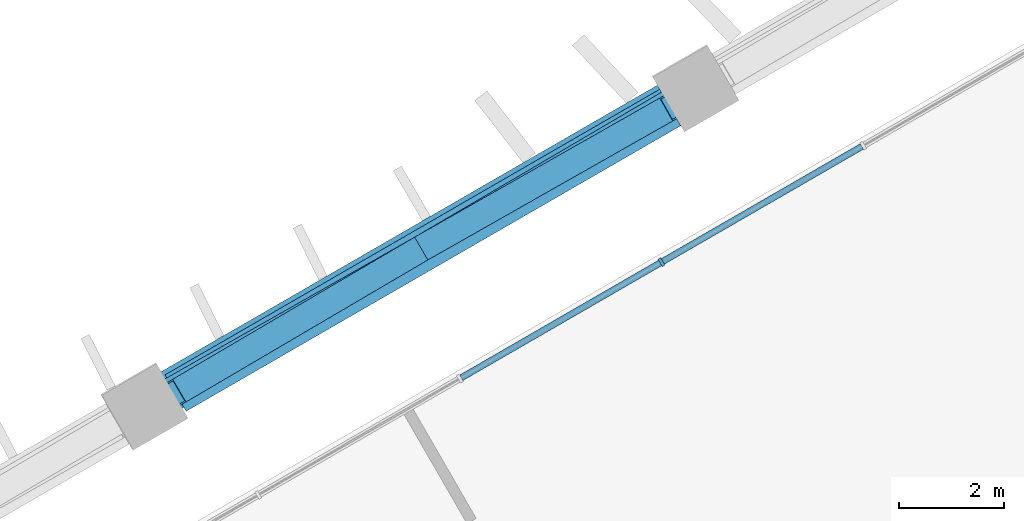
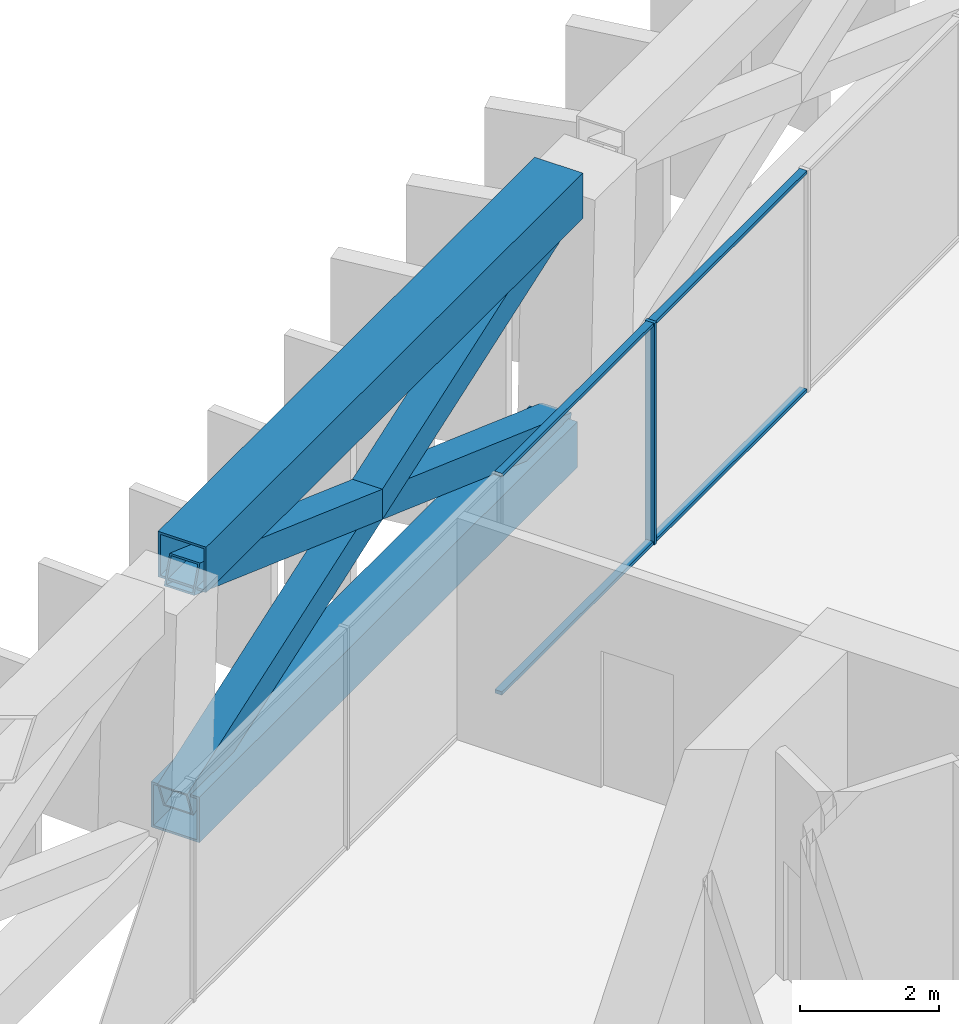
# One storey, part 7 of 18: 9 members, 1 element without a shape of its own.
"""IFC4 building model written with IfcOpenShell, lengths in metres."""

from ifc_helpers import new_model, si_unit, direction, frame, origin, origin_2d, place, context, subcontext, project, spatial, rectangle, hollow_rectangle, extrude, material, layer, layer_set, material_profile, profile_set, type_object, element, aggregate, save


model = new_model("IFC4")

# Units and contexts
model_context = context("Model", 3, precision=1e-05, world=origin(), true_north=direction((0.0, 1.0)))
body_context = subcontext(model_context, "Body", "Model", "MODEL_VIEW")
ifc_project = project(units=[si_unit("LENGTHUNIT", "METRE"), si_unit("AREAUNIT", "SQUARE_METRE"), si_unit("VOLUMEUNIT", "CUBIC_METRE"), si_unit("PLANEANGLEUNIT", "RADIAN"), si_unit("MASSUNIT", "GRAM", prefix="KILO")], contexts=[model_context])

# Site, building, storey
site_placement = place(None, origin())
site = spatial("IfcSite", under=ifc_project, at=site_placement, CompositionType="ELEMENT")
building_placement = place(site_placement, origin())
building = spatial("IfcBuilding", under=site, at=building_placement, Name="Jabali Bay Hotel Tower and Convention Centre", CompositionType="ELEMENT")
storey_placement = place(building_placement, frame((0.0, 0.0, 52.89990234375)))
storey = spatial("IfcBuildingStorey", under=building, at=storey_placement, Name="L11", CompositionType="ELEMENT", Elevation=52.89990234375)

# Members
ifc_material_1 = material(Name="Steel Q420GJC", Category="steel")
ifc_material_profile_1 = material_profile(ifc_material_1, hollow_rectangle(XDim=0.5, YDim=0.5, WallThickness=0.030029296875, at=origin_2d()), Name="Belt brace 500x500x30")
ifc_profile_set_1 = profile_set([ifc_material_profile_1], Name="Steel Q420GJC")
member_type_1 = type_object("IfcMemberType", Name="Belt brace 500x500x30", PredefinedType="BRACE", material=ifc_profile_set_1)
member_1_placement = place(storey_placement, frame((62.688720703125, 100.123779296875, 0.21923828125), z_axis=(-0.809997225508, -0.47566199284, 0.343001695676), x_axis=(0.506381751057, -0.8623094121, 0.0)))
element("IfcMember", 1, at=member_1_placement, inside=storey, type_object=member_type_1, Name="Belt brace T1 F1.3-F1.4 x1", PredefinedType="BRACE", context=body_context, shape_type="SweptSolid", body=[
    extrude(hollow_rectangle(XDim=0.5, YDim=0.5, WallThickness=0.030029296875, at=origin_2d()), origin(), (0.0, 0.0, 1.0), 11.550048828125),
])
member_2_placement = place(storey_placement, frame((53.252685546875, 94.67578125, 0.21826171875), z_axis=(0.817278706472, 0.463891049165, 0.341848812273), x_axis=(-0.493629794654, 0.869672136975, 0.0)))
element("IfcMember", 2, at=member_2_placement, inside=storey, type_object=member_type_1, Name="Belt brace T1 F1.3-F1.4 x2", PredefinedType="BRACE", context=body_context, shape_type="SweptSolid", body=[
    extrude(hollow_rectangle(XDim=0.5, YDim=0.5, WallThickness=0.030029296875, at=origin_2d()), origin(), (0.0, 0.0, 1.0), 11.5947265625),
])
ifc_material_profile_2 = material_profile(ifc_material_1, hollow_rectangle(XDim=0.800048828125, YDim=0.800048828125, WallThickness=0.0400390625, at=origin_2d()), Name="Belt chord 800x800x40")
ifc_profile_set_2 = profile_set([ifc_material_profile_2], Name="Steel Q420GJC")
member_type_2 = type_object("IfcMemberType", Name="Belt chord 800x800x40", PredefinedType="CHORD", material=ifc_profile_set_2)
member_3_placement = place(storey_placement, frame((62.6865234375, 100.12744140625, 0.0), z_axis=(-0.866031107881, -0.499990120084, 0.0), x_axis=(0.499990120084, -0.866031107881, 0.0)))
element("IfcMember", 3, at=member_3_placement, inside=storey, type_object=member_type_2, Name="Belt chord T1 F1.3-F1.4", PredefinedType="CHORD", context=body_context, shape_type="SweptSolid", body=[
    extrude(hollow_rectangle(XDim=0.800048828125, YDim=0.800048828125, WallThickness=0.0400390625, at=origin_2d()), origin(), (0.0, 0.0, 1.0), 10.895751953125),
])
member_4_placement = place(storey_placement, frame((62.73095703125, 100.050537109375, 4.400146484375), z_axis=(-0.866032690154, -0.499987379426, 0.0), x_axis=(0.499987379426, -0.866032690154, 0.0)))
element("IfcMember", 4, at=member_4_placement, inside=storey, type_object=member_type_2, Name="Belt chord T1 F1.3-F1.4", PredefinedType="CHORD", context=body_context, shape_type="SweptSolid", body=[
    extrude(hollow_rectangle(XDim=0.800048828125, YDim=0.800048828125, WallThickness=0.0400390625, at=origin_2d()), origin(), (0.0, 0.0, 1.0), 10.848876953125),
])

# Curtain wall, members
ifc_material_2 = material(Name="Aluminium and glass", Category="aluminium")
ifc_layer = layer(ifc_material_2, 0.159912109375)
ifc_layer_set = layer_set([ifc_layer], Name="Aluminium and glass")
curtain_wall_type = type_object("IfcCurtainWallType", Name="CW3 curtain wall", PredefinedType="NOTDEFINED", material=ifc_layer_set)
curtain_wall_placement = place(storey_placement, origin())
curtain_wall = element("IfcCurtainWall", 5, at=curtain_wall_placement, inside=storey, type_object=curtain_wall_type, Name="CW3 curtain wall north-west face L11", PredefinedType="NOTDEFINED")
ifc_material_3 = material(Name="Aluminium", Category="aluminium")
ifc_material_profile_3 = material_profile(ifc_material_3, rectangle(XDim=0.159912109375, YDim=0.06005859375, at=origin_2d()), Name="CW3 mullion 60 x 160")
ifc_profile_set_3 = profile_set([ifc_material_profile_3], Name="Aluminium")
member_type_3 = type_object("IfcMemberType", Name="CW3 mullion 60 x 160", PredefinedType="MULLION", material=ifc_profile_set_3)
member_5_placement = place(storey_placement, frame((62.566162109375, 97.113525390625, 0.0), z_axis=(0.0, 0.0, 1.0), x_axis=(-0.500000005895, 0.866025400381, 0.0)))
member_5 = element("IfcMember", 6, at=member_5_placement, type_object=member_type_3, Name="CW3 mullion 7", PredefinedType="MULLION", context=body_context, shape_type="SweptSolid", body=[
    extrude(rectangle(XDim=0.159912109375, YDim=0.06005859375, at=origin_2d()), origin(), (0.0, 0.0, 1.0), 3.900146484375),
])
ifc_material_profile_4 = material_profile(ifc_material_3, rectangle(XDim=0.1201171875, YDim=0.06005859375, at=origin_2d()), Name="CW3 transom 60 x 120")
ifc_profile_set_4 = profile_set([ifc_material_profile_4], Name="Aluminium")
member_type_4 = type_object("IfcMemberType", Name="CW3 transom 60 x 120", PredefinedType="USERDEFINED", material=ifc_profile_set_4)
member_6_placement = place(storey_placement, frame((58.761962890625, 94.9169921875, 0.030029296875), z_axis=(0.866013176292, 0.50002117804, 0.0), x_axis=(-0.50002117804, 0.866013176292, 0.0)))
member_6 = element("IfcMember", 7, at=member_6_placement, type_object=member_type_4, Name="CW3 transom 6.1", ObjectType="TRANSOM", PredefinedType="USERDEFINED", context=body_context, shape_type="SweptSolid", body=[
    extrude(rectangle(XDim=0.1201171875, YDim=0.06005859375, at=origin_2d()), origin(), (0.0, 0.0, 1.0), 4.362548828125),
])
member_7_placement = place(storey_placement, frame((58.761962890625, 94.9169921875, 3.8701171875), z_axis=(0.866013176292, 0.50002117804, 0.0), x_axis=(-0.50002117804, 0.866013176292, 0.0)))
member_7 = element("IfcMember", 8, at=member_7_placement, type_object=member_type_4, Name="CW3 transom 6.2", ObjectType="TRANSOM", PredefinedType="USERDEFINED", context=body_context, shape_type="SweptSolid", body=[
    extrude(rectangle(XDim=0.1201171875, YDim=0.06005859375, at=origin_2d()), origin(), (0.0, 0.0, 1.0), 4.362548828125),
])
member_8_placement = place(storey_placement, frame((62.592041015625, 97.12841796875, 0.030029296875), z_axis=(0.86602716698, 0.499996946043, 0.0), x_axis=(-0.499996946043, 0.86602716698, 0.0)))
member_8 = element("IfcMember", 9, at=member_8_placement, type_object=member_type_4, Name="CW3 transom 7.1", ObjectType="TRANSOM", PredefinedType="USERDEFINED", context=body_context, shape_type="SweptSolid", body=[
    extrude(rectangle(XDim=0.1201171875, YDim=0.06005859375, at=origin_2d()), origin(), (0.0, 0.0, 1.0), 4.36279296875),
])
member_9_placement = place(storey_placement, frame((62.592041015625, 97.12841796875, 3.8701171875), z_axis=(0.86602716698, 0.499996946043, 0.0), x_axis=(-0.499996946043, 0.86602716698, 0.0)))
member_9 = element("IfcMember", 10, at=member_9_placement, type_object=member_type_4, Name="CW3 transom 7.2", ObjectType="TRANSOM", PredefinedType="USERDEFINED", context=body_context, shape_type="SweptSolid", body=[
    extrude(rectangle(XDim=0.1201171875, YDim=0.06005859375, at=origin_2d()), origin(), (0.0, 0.0, 1.0), 4.36279296875),
])
aggregate(curtain_wall, [member_5, member_6, member_7, member_8, member_9])

save(model, "model.ifc")
